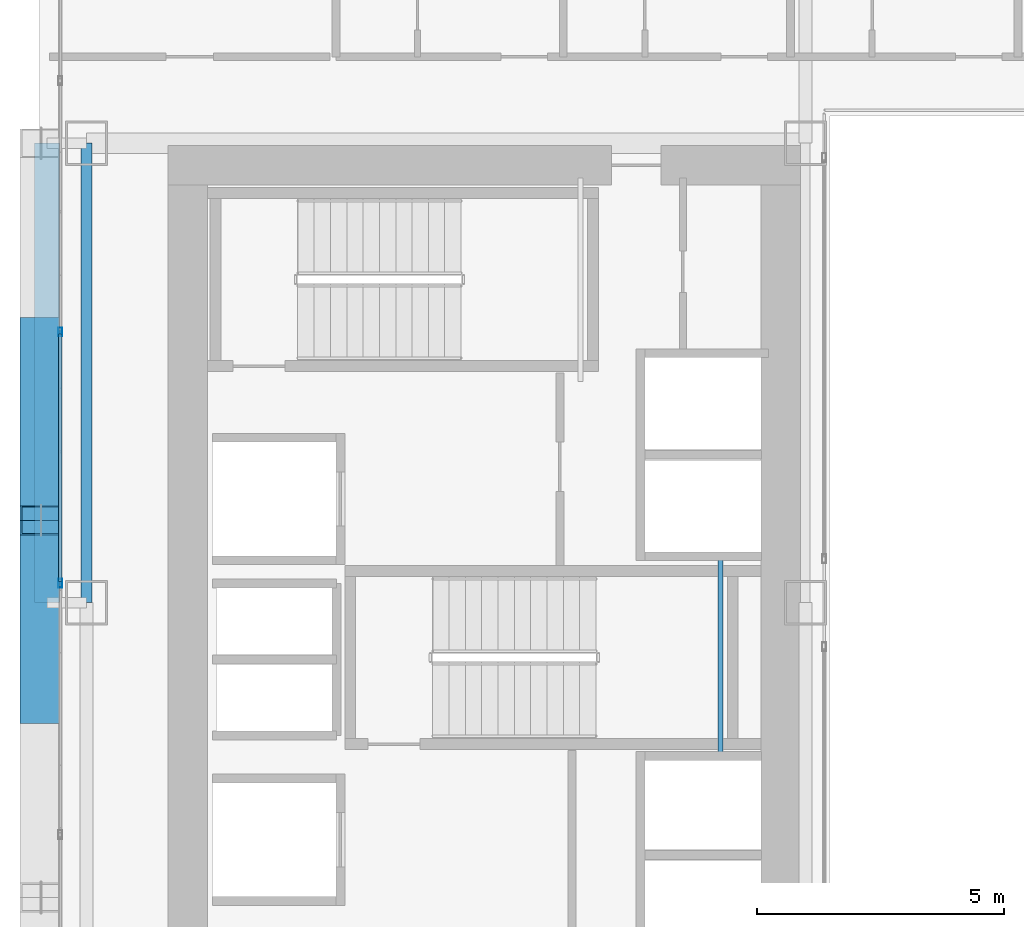
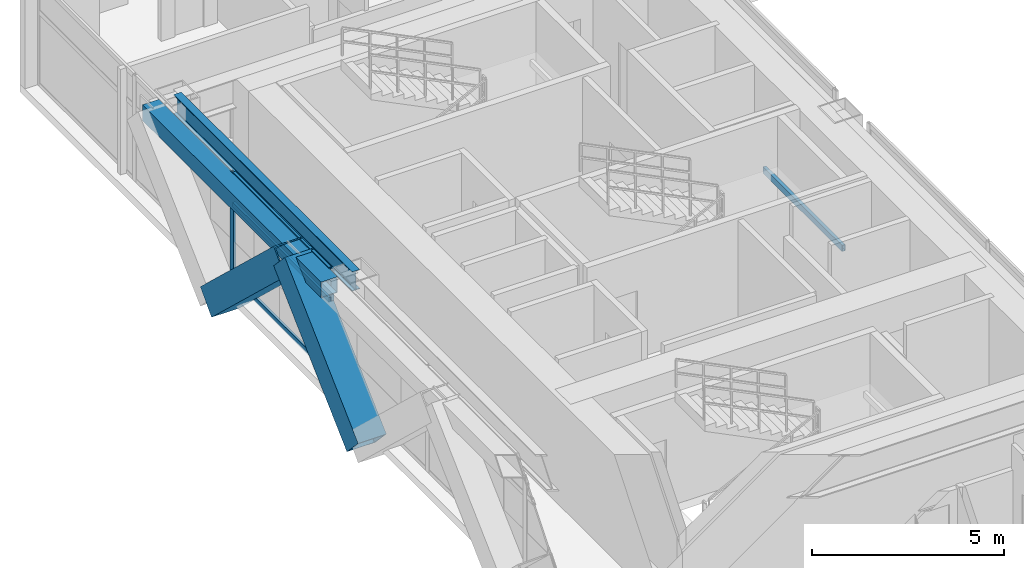
# One storey, part 9 of 41: 7 members, 3 beams, 1 element without a shape of its own.
"""IFC4 building model written with IfcOpenShell, lengths in metres."""

from ifc_helpers import new_model, si_unit, direction, frame, origin, origin_2d, place, context, subcontext, project, spatial, hollow_rectangle, i_section, extrude, source, transform, mapped, material, layer, layer_set, material_profile, profile_set, type_object, element, aggregate, save


model = new_model("IFC4")

# Units and contexts
model_context = context("Model", 3, precision=1e-05, world=origin(), true_north=direction((0.0, 1.0)))
body_context = subcontext(model_context, "Body", "Model", "MODEL_VIEW")
ifc_project = project(units=[si_unit("LENGTHUNIT", "METRE"), si_unit("AREAUNIT", "SQUARE_METRE"), si_unit("VOLUMEUNIT", "CUBIC_METRE"), si_unit("PLANEANGLEUNIT", "RADIAN"), si_unit("MASSUNIT", "GRAM", prefix="KILO")], contexts=[model_context])

# Site, building, storey
site_placement = place(None, origin())
site = spatial("IfcSite", under=ifc_project, at=site_placement, CompositionType="ELEMENT")
building_placement = place(site_placement, origin())
building = spatial("IfcBuilding", under=site, at=building_placement, Name="Ocotamira Hotel", CompositionType="ELEMENT")
storey_placement = place(building_placement, frame((0.0, 0.0, 38.39990234375)))
storey = spatial("IfcBuildingStorey", under=building, at=storey_placement, Name="L08", CompositionType="ELEMENT", Elevation=38.39990234375)

# Beams
ifc_material_1 = material(Name="Steel ASTM A500 Grade C", Category="steel")
ifc_material_profile_1 = material_profile(ifc_material_1, hollow_rectangle(XDim=0.10009765625, YDim=0.199951171875, WallThickness=0.008056640625, at=origin_2d()), Name="HSS200X100X8")
ifc_profile_set_1 = profile_set([ifc_material_profile_1], Name="Steel ASTM A500 Grade C")
beam_type_1 = type_object("IfcBeamType", Name="BM-STLDG-HSS200", PredefinedType="BEAM", material=ifc_profile_set_1)
shared_shape_1 = source(origin(), body_context, "Body", "SweptSolid", [
    extrude(hollow_rectangle(XDim=0.10009765625, YDim=0.199951171875, WallThickness=0.008056640625, at=origin_2d()), origin(), (0.0, 0.0, 1.0), 4.1201171875),
])
beam_1_placement = place(storey_placement, frame((21.780029296875, 24.97998046875, 1.5), z_axis=(0.0, 1.0, 0.0), x_axis=(-1.0, 0.0, 0.0)))
element("IfcBeam", 1, at=beam_1_placement, inside=storey, type_object=beam_type_1, Name="L08 Stair ST-3 Landing Bearer 1", PredefinedType="BEAM", context=body_context, shape_type="MappedRepresentation", body=[
    mapped(shared_shape_1, transform((0.0, 0.0, 0.0), scale=1.0)),
])
ifc_material_2 = material(Name="Steel ASTM A992 Grade 50", Category="steel")
ifc_material_profile_2 = material_profile(ifc_material_2, i_section(OverallWidth=0.22998046875, OverallDepth=0.616943359375, WebThickness=0.01318359375, FlangeThickness=0.022216796875, FilletRadius=0.012939453125, at=origin_2d()), Name="W24X94")
ifc_profile_set_2 = profile_set([ifc_material_profile_2], Name="Steel ASTM A992 Grade 50")
beam_type_2 = type_object("IfcBeamType", Name="BM-PRIM-W24X94", PredefinedType="BEAM", material=ifc_profile_set_2)
shared_shape_2 = source(origin(), body_context, "Body", "SweptSolid", [
    extrude(i_section(OverallWidth=0.22998046875, OverallDepth=0.616943359375, WebThickness=0.01318359375, FlangeThickness=0.022216796875, FilletRadius=0.012939453125, at=origin_2d()), origin(), (0.0, 0.0, 1.0), 9.300048828125),
])
beam_2_placement = place(storey_placement, frame((8.949951171875, 28.14990234375, 3.04150390625), z_axis=(0.0, 1.0, 0.0), x_axis=(-1.0, 0.0, 0.0)))
element("IfcBeam", 2, at=beam_2_placement, inside=storey, type_object=beam_type_2, Name="L08 Beam X8.95 Y28.15-37.45", PredefinedType="BEAM", context=body_context, shape_type="MappedRepresentation", body=[
    mapped(shared_shape_2, transform((0.0, 0.0, 0.0), scale=1.0)),
])
ifc_material_profile_3 = material_profile(ifc_material_1, hollow_rectangle(XDim=0.5, YDim=0.5, WallThickness=0.02001953125, at=origin_2d()), Name="HSS500X500X20")
ifc_profile_set_3 = profile_set([ifc_material_profile_3], Name="Steel ASTM A500 Grade C")
beam_type_3 = type_object("IfcBeamType", Name="BM-SPAN-HSS500", PredefinedType="USERDEFINED", material=ifc_profile_set_3)
shared_shape_3 = source(origin(), body_context, "Body", "SweptSolid", [
    extrude(hollow_rectangle(XDim=0.5, YDim=0.5, WallThickness=0.02001953125, at=origin_2d()), origin(), (0.0, 0.0, 1.0), 9.300048828125),
])
beam_3_placement = place(storey_placement, frame((8.14990234375, 28.14990234375, 3.10009765625), z_axis=(0.0, 1.0, 0.0), x_axis=(-1.0, 0.0, 0.0)))
element("IfcBeam", 3, at=beam_3_placement, inside=storey, type_object=beam_type_3, Name="L08 Edge Spandrel W Y28.15-37.45", ObjectType="SPANDREL", PredefinedType="USERDEFINED", context=body_context, shape_type="MappedRepresentation", body=[
    mapped(shared_shape_3, transform((0.0, 0.0, 0.0), scale=1.0)),
])

# Members
ifc_material_3 = material(Name="Pale-metal coated steel ASTM A913 Grade 65", Category="steel")
ifc_material_profile_4 = material_profile(ifc_material_3, hollow_rectangle(XDim=0.85009765625, YDim=0.85009765625, WallThickness=0.035888671875, at=origin_2d()), Name="BOX850X850X36")
ifc_profile_set_4 = profile_set([ifc_material_profile_4], Name="Pale-metal coated steel ASTM A913 Grade 65")
member_type_1 = type_object("IfcMemberType", Name="MEM-EXO-BOX850", PredefinedType="BRACE", material=ifc_profile_set_4)
shared_shape_4 = source(origin(), body_context, "Body", "SweptSolid", [
    extrude(hollow_rectangle(XDim=0.85009765625, YDim=0.85009765625, WallThickness=0.035888671875, at=origin_2d()), origin(), (0.0, 0.0, 1.0), 5.24658203125),
])
for number, where, z_axis, x_axis, name in (
    (4, (8.030029296875, 26.0, -0.5), (0.0, 0.727442733726, 0.686168397078), (-1.0, 0.0, 0.0), "L08 Exoskeleton Diagrid W1.2"),
    (5, (8.030029296875, 33.63330078125, -0.5), (0.0, -0.727442733726, 0.686168397078), (1.0, 0.0, 0.0), "L08 Exoskeleton Diagrid W2.1"),
):
    element("IfcMember", number, at=place(storey_placement, frame(where, z_axis=z_axis, x_axis=x_axis)), inside=storey, type_object=member_type_1, Name=name, PredefinedType="BRACE", context=body_context, shape_type="MappedRepresentation", body=[
        mapped(shared_shape_4, transform((0.0, 0.0, 0.0), scale=1.0)),
    ])

# Curtain wall, members
ifc_material_4 = material(Name="Anodised pale-metal aluminium and solar glass", Category="aluminium")
ifc_layer = layer(ifc_material_4, 0.179931640625)
ifc_layer_set = layer_set([ifc_layer], Name="Anodised pale-metal aluminium and solar glass")
curtain_wall_type = type_object("IfcCurtainWallType", Name="CW-SYS2-Z1", PredefinedType="NOTDEFINED", material=ifc_layer_set)
curtain_wall_placement = place(storey_placement, origin())
curtain_wall = element("IfcCurtainWall", 6, at=curtain_wall_placement, inside=storey, type_object=curtain_wall_type, Name="L08 Curtain Wall CW-2 CW-L08-W", PredefinedType="NOTDEFINED")
ifc_material_5 = material(Name="Anodised pale-metal aluminium 6063-T6", Category="aluminium")
ifc_material_profile_5 = material_profile(ifc_material_5, hollow_rectangle(XDim=0.074951171875, YDim=0.14990234375, WallThickness=0.006103515625, at=origin_2d()), Name="HSS150X75X6")
ifc_profile_set_5 = profile_set([ifc_material_profile_5], Name="Anodised pale-metal aluminium 6063-T6")
member_type_2 = type_object("IfcMemberType", Name="CWT-150X75", PredefinedType="USERDEFINED", material=ifc_profile_set_5)
shared_shape_5 = source(origin(), body_context, "Body", "SweptSolid", [
    extrude(hollow_rectangle(XDim=0.074951171875, YDim=0.14990234375, WallThickness=0.006103515625, at=origin_2d()), origin(), (0.0, 0.0, 1.0), 5.005859375),
])
member_1_placement = place(storey_placement, frame((8.419921875, 28.582763671875, 0.03759765625), z_axis=(0.0, 1.0, 0.0), x_axis=(-1.0, 0.0, 0.0)))
member_1 = element("IfcMember", 7, at=member_1_placement, type_object=member_type_2, Name="CW-2 transom 5.1", ObjectType="TRANSOM", PredefinedType="USERDEFINED", context=body_context, shape_type="MappedRepresentation", body=[
    mapped(shared_shape_5, transform((0.0, 0.0, 0.0), scale=1.0)),
])
member_2_placement = place(storey_placement, frame((8.419921875, 28.582763671875, 2.35009765625), z_axis=(0.0, 1.0, 0.0), x_axis=(-1.0, 0.0, 0.0)))
member_2 = element("IfcMember", 8, at=member_2_placement, type_object=member_type_2, Name="CW-2 transom 5.2", ObjectType="TRANSOM", PredefinedType="USERDEFINED", context=body_context, shape_type="MappedRepresentation", body=[
    mapped(shared_shape_5, transform((0.0, 0.0, 0.0), scale=1.0)),
])
member_3_placement = place(storey_placement, frame((8.419921875, 28.582763671875, 3.3125), z_axis=(0.0, 1.0, 0.0), x_axis=(-1.0, 0.0, 0.0)))
member_3 = element("IfcMember", 9, at=member_3_placement, type_object=member_type_2, Name="CW-2 transom 5.3", ObjectType="TRANSOM", PredefinedType="USERDEFINED", context=body_context, shape_type="MappedRepresentation", body=[
    mapped(shared_shape_5, transform((0.0, 0.0, 0.0), scale=1.0)),
])
ifc_material_profile_6 = material_profile(ifc_material_5, hollow_rectangle(XDim=0.080078125, YDim=0.179931640625, WallThickness=0.006103515625, at=origin_2d()), Name="HSS180X80X6")
ifc_profile_set_6 = profile_set([ifc_material_profile_6], Name="Anodised pale-metal aluminium 6063-T6")
member_type_3 = type_object("IfcMemberType", Name="CWM-180X75", PredefinedType="MULLION", material=ifc_profile_set_6)
shared_shape_6 = source(origin(), body_context, "Body", "SweptSolid", [
    extrude(hollow_rectangle(XDim=0.080078125, YDim=0.179931640625, WallThickness=0.006103515625, at=origin_2d()), origin(), (0.0, 0.0, 1.0), 3.35009765625),
])
member_4_placement = place(storey_placement, frame((8.419921875, 28.54296875, 0.0), z_axis=(0.0, 0.0, 1.0), x_axis=(-1.0, 0.0, 0.0)))
member_4 = element("IfcMember", 10, at=member_4_placement, type_object=member_type_3, Name="CW-2 mullion 5", PredefinedType="MULLION", context=body_context, shape_type="MappedRepresentation", body=[
    mapped(shared_shape_6, transform((0.0, 0.0, 0.0), scale=1.0)),
])
member_5_placement = place(storey_placement, frame((8.419921875, 33.628662109375, 0.0), z_axis=(0.0, 0.0, 1.0), x_axis=(-1.0, 0.0, 0.0)))
member_5 = element("IfcMember", 11, at=member_5_placement, type_object=member_type_3, Name="CW-2 mullion 6", PredefinedType="MULLION", context=body_context, shape_type="MappedRepresentation", body=[
    mapped(shared_shape_6, transform((0.0, 0.0, 0.0), scale=1.0)),
])
aggregate(curtain_wall, [member_4, member_5, member_1, member_2, member_3])

save(model, "model.ifc")
